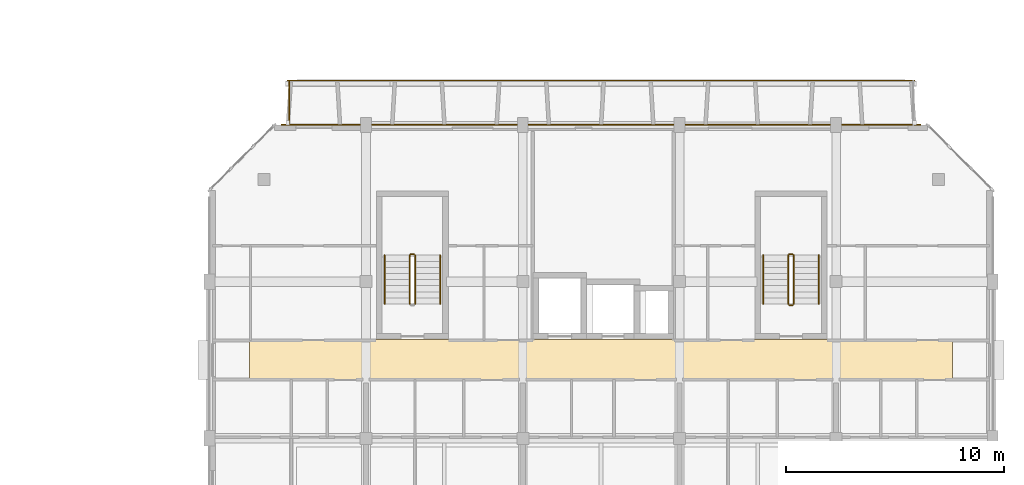
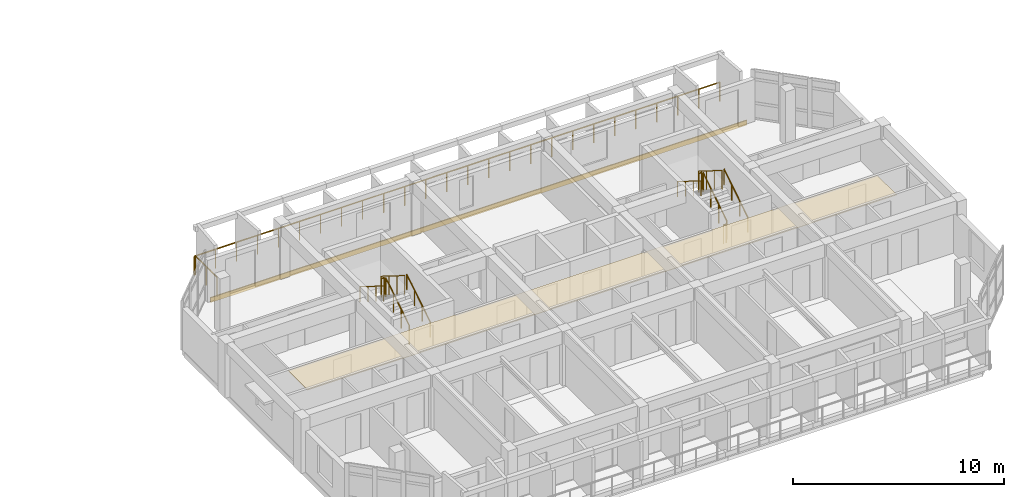
# One storey, part 48 of 51: 13 railings, 2 coverings.
"""IFC4 building model written with IfcOpenShell, lengths in metres."""

from ifc_helpers import new_model, si_unit, direction, frame, origin, origin_2d, place, context, subcontext, project, spatial, polyline, rectangle, circle, outline, extrude, material, layer, layer_set, type_object, element, save


model = new_model("IFC4")

# Units and contexts
model_context = context("Model", 3, precision=1e-05, world=origin(), true_north=direction((0.0, 1.0)))
body_context = subcontext(model_context, "Body", "Model", "MODEL_VIEW")
ifc_project = project(units=[si_unit("LENGTHUNIT", "METRE"), si_unit("AREAUNIT", "SQUARE_METRE"), si_unit("VOLUMEUNIT", "CUBIC_METRE"), si_unit("PLANEANGLEUNIT", "RADIAN"), si_unit("MASSUNIT", "GRAM", prefix="KILO")], contexts=[model_context])

# Site, building, storey
site_placement = place(None, origin())
site = spatial("IfcSite", under=ifc_project, at=site_placement, CompositionType="ELEMENT")
building_placement = place(site_placement, origin())
building = spatial("IfcBuilding", under=site, at=building_placement, Name="Ochrevale Crest", CompositionType="ELEMENT")
storey_placement = place(building_placement, frame((0.0, 0.0, 11.85009765625)))
storey = spatial("IfcBuildingStorey", under=building, at=storey_placement, Name="L03", CompositionType="ELEMENT", Elevation=11.85009765625)

# Coverings
ifc_material_1 = material(Name="Gypsum plasterboard", Category="gypsum")
ifc_layer_1 = layer(ifc_material_1, 0.02490234375)
ifc_layer_set_1 = layer_set([ifc_layer_1], Name="Gypsum plasterboard")
covering_type_1 = type_object("IfcCoveringType", Name="COV-CEIL-GYP", PredefinedType="CEILING", material=ifc_layer_set_1)
covering_1_placement = place(storey_placement, frame((0.0, 0.0, 2.27978515625)))
element("IfcCovering", 1, at=covering_1_placement, inside=storey, type_object=covering_type_1, Name="Block C L03 acoustic corridor ceiling", PredefinedType="CEILING", context=body_context, shape_type="SweptSolid", body=[
    extrude(outline(polyline([(131.449951171875, 24.260009765625), (163.75, 24.260009765625), (163.75, 26.139892578125), (131.449951171875, 26.139892578125), (131.449951171875, 24.260009765625)])), origin(), (0.0, 0.0, 1.0), 0.025146484375),
])
ifc_material_2 = material(Name="Glazed terracotta rainscreen tile", Category="masonry")
ifc_layer_2 = layer(ifc_material_2, 0.048095703125)
ifc_layer_set_2 = layer_set([ifc_layer_2], Name="Glazed terracotta rainscreen tile")
covering_type_2 = type_object("IfcCoveringType", Name="COV-CLAD-TER", PredefinedType="CLADDING", material=ifc_layer_set_2)
covering_2_placement = place(storey_placement, frame((147.60009765625, 36.012451171875, -0.26025390625), z_axis=(0.0, 0.0, 1.0), x_axis=(-1.0, 0.0, 0.0)))
element("IfcCovering", 2, at=covering_2_placement, inside=storey, type_object=covering_type_2, Name="Block C L03 terracotta slab-edge spandrel cladding", PredefinedType="CLADDING", context=body_context, shape_type="SweptSolid", body=[
    extrude(rectangle(XDim=29.39990234375, YDim=0.06005859375, at=origin_2d()), origin(), (0.0, 0.0, 1.0), 0.280029296875),
])

# Railings
ifc_material_3 = material(Name="Galvanised steel", Category="steel")
railing_type_1 = type_object("IfcRailingType", Name="RL-BAL-1100", PredefinedType="BALUSTRADE", material=ifc_material_3)
railing_1_placement = place(storey_placement, frame((133.199951171875, 38.0400390625, 0.0)))
element("IfcRailing", 3, at=railing_1_placement, inside=storey, type_object=railing_type_1, Name="Block C L03 N balcony front balustrade", PredefinedType="BALUSTRADE", context=body_context, shape_type="SweptSolid", body=[
    extrude(circle(Radius=0.02392578125, at=origin_2d()), frame((0.0, 0.0, 1.0859375), z_axis=(1.0, 0.0, 0.0), x_axis=(0.0, 1.0, 0.0)), (0.0, 0.0, 1.0), 28.800048828125),
    extrude(circle(Radius=0.02099609375, at=origin_2d()), origin(), (0.0, 0.0, 1.0), 1.06201171875),
    extrude(circle(Radius=0.02099609375, at=origin_2d()), frame((1.152099609375, 0.0, 0.0)), (0.0, 0.0, 1.0), 1.06201171875),
    extrude(circle(Radius=0.02099609375, at=origin_2d()), frame((2.303955078125, 0.0, 0.0)), (0.0, 0.0, 1.0), 1.06201171875),
    extrude(circle(Radius=0.02099609375, at=origin_2d()), frame((3.4560546875, 0.0, 0.0)), (0.0, 0.0, 1.0), 1.06201171875),
    extrude(circle(Radius=0.02099609375, at=origin_2d()), frame((4.60791015625, 0.0, 0.0)), (0.0, 0.0, 1.0), 1.06201171875),
    extrude(circle(Radius=0.02099609375, at=origin_2d()), frame((5.760009765625, 0.0, 0.0)), (0.0, 0.0, 1.0), 1.06201171875),
    extrude(circle(Radius=0.02099609375, at=origin_2d()), frame((6.912109375, 0.0, 0.0)), (0.0, 0.0, 1.0), 1.06201171875),
    extrude(circle(Radius=0.02099609375, at=origin_2d()), frame((8.06396484375, 0.0, 0.0)), (0.0, 0.0, 1.0), 1.06201171875),
    extrude(circle(Radius=0.02099609375, at=origin_2d()), frame((9.216064453125, 0.0, 0.0)), (0.0, 0.0, 1.0), 1.06201171875),
    extrude(circle(Radius=0.02099609375, at=origin_2d()), frame((10.367919921875, 0.0, 0.0)), (0.0, 0.0, 1.0), 1.06201171875),
    extrude(circle(Radius=0.02099609375, at=origin_2d()), frame((11.52001953125, 0.0, 0.0)), (0.0, 0.0, 1.0), 1.06201171875),
    extrude(circle(Radius=0.02099609375, at=origin_2d()), frame((12.672119140625, 0.0, 0.0)), (0.0, 0.0, 1.0), 1.06201171875),
    extrude(circle(Radius=0.02099609375, at=origin_2d()), frame((13.823974609375, 0.0, 0.0)), (0.0, 0.0, 1.0), 1.06201171875),
    extrude(circle(Radius=0.02099609375, at=origin_2d()), frame((14.97607421875, 0.0, 0.0)), (0.0, 0.0, 1.0), 1.06201171875),
    extrude(circle(Radius=0.02099609375, at=origin_2d()), frame((16.1279296875, 0.0, 0.0)), (0.0, 0.0, 1.0), 1.06201171875),
    extrude(circle(Radius=0.02099609375, at=origin_2d()), frame((17.280029296875, 0.0, 0.0)), (0.0, 0.0, 1.0), 1.06201171875),
    extrude(circle(Radius=0.02099609375, at=origin_2d()), frame((18.43212890625, 0.0, 0.0)), (0.0, 0.0, 1.0), 1.06201171875),
    extrude(circle(Radius=0.02099609375, at=origin_2d()), frame((19.583984375, 0.0, 0.0)), (0.0, 0.0, 1.0), 1.06201171875),
    extrude(circle(Radius=0.02099609375, at=origin_2d()), frame((20.736083984375, 0.0, 0.0)), (0.0, 0.0, 1.0), 1.06201171875),
    extrude(circle(Radius=0.02099609375, at=origin_2d()), frame((21.887939453125, 0.0, 0.0)), (0.0, 0.0, 1.0), 1.06201171875),
    extrude(circle(Radius=0.02099609375, at=origin_2d()), frame((23.0400390625, 0.0, 0.0)), (0.0, 0.0, 1.0), 1.06201171875),
    extrude(circle(Radius=0.02099609375, at=origin_2d()), frame((24.192138671875, 0.0, 0.0)), (0.0, 0.0, 1.0), 1.06201171875),
    extrude(circle(Radius=0.02099609375, at=origin_2d()), frame((25.343994140625, 0.0, 0.0)), (0.0, 0.0, 1.0), 1.06201171875),
    extrude(circle(Radius=0.02099609375, at=origin_2d()), frame((26.49609375, 0.0, 0.0)), (0.0, 0.0, 1.0), 1.06201171875),
    extrude(circle(Radius=0.02099609375, at=origin_2d()), frame((27.64794921875, 0.0, 0.0)), (0.0, 0.0, 1.0), 1.06201171875),
    extrude(circle(Radius=0.02099609375, at=origin_2d()), frame((28.800048828125, 0.0, 0.0)), (0.0, 0.0, 1.0), 1.06201171875),
])
railing_2_placement = place(storey_placement, frame((133.260009765625, 36.0, 0.0)))
element("IfcRailing", 4, at=railing_2_placement, inside=storey, type_object=railing_type_1, Name="Block C L03 N-W balcony side guard", PredefinedType="BALUSTRADE", context=body_context, shape_type="SweptSolid", body=[
    extrude(circle(Radius=0.02392578125, at=origin_2d()), frame((0.0, 0.0, 1.0859375), z_axis=(0.0, 1.0, 0.0), x_axis=(-1.0, 0.0, 0.0)), (0.0, 0.0, 1.0), 2.0400390625),
    extrude(circle(Radius=0.02099609375, at=origin_2d()), origin(), (0.0, 0.0, 1.0), 1.06201171875),
    extrude(circle(Radius=0.02099609375, at=origin_2d()), frame((0.0, 1.02001953125, 0.0)), (0.0, 0.0, 1.0), 1.06201171875),
    extrude(circle(Radius=0.02099609375, at=origin_2d()), frame((0.0, 2.0400390625, 0.0)), (0.0, 0.0, 1.0), 1.06201171875),
])
railing_type_2 = type_object("IfcRailingType", Name="RL-ST-GUARD", PredefinedType="BALUSTRADE", material=ifc_material_3)
railing_3_placement = place(storey_placement, frame((139.050048828125, 27.77490234375, 0.1748046875)))
element("IfcRailing", 5, at=railing_3_placement, inside=storey, type_object=railing_type_2, Name="L03 ST-C1 stair guard 1", PredefinedType="BALUSTRADE", context=body_context, shape_type="SweptSolid", body=[
    extrude(circle(Radius=0.02392578125, at=origin_2d()), frame((0.0, 0.0, 1.076171875), z_axis=(0.0, 0.847972341737, 0.530040477369), x_axis=(-1.0, 0.0, 0.0)), (0.0, 0.0, 1.0), 2.6416015625),
    extrude(circle(Radius=0.02099609375, at=origin_2d()), origin(), (0.0, 0.0, 1.0), 1.052001953125),
    extrude(circle(Radius=0.02099609375, at=origin_2d()), frame((0.0, 0.74658203125, 0.466796875)), (0.0, 0.0, 1.0), 1.052001953125),
    extrude(circle(Radius=0.02099609375, at=origin_2d()), frame((0.0, 1.493408203125, 0.933349609375)), (0.0, 0.0, 1.0), 1.052001953125),
    extrude(circle(Radius=0.02099609375, at=origin_2d()), frame((0.0, 2.239990234375, 1.400146484375)), (0.0, 0.0, 1.0), 1.052001953125),
])
railing_4_placement = place(storey_placement, frame((139.0, 30.06494140625, 1.574951171875)))
element("IfcRailing", 6, at=railing_4_placement, inside=storey, type_object=railing_type_2, Name="L03 ST-C1 stair guard 2", PredefinedType="BALUSTRADE", context=body_context, shape_type="SweptSolid", body=[
    extrude(circle(Radius=0.02392578125, at=origin_2d()), frame((0.0, 0.0, 1.076171875), z_axis=(-1.0, 0.0, 0.0), x_axis=(0.0, -1.0, 0.0)), (0.0, 0.0, 1.0), 0.14990234375),
    extrude(circle(Radius=0.02099609375, at=origin_2d()), origin(), (0.0, 0.0, 1.0), 1.052001953125),
    extrude(circle(Radius=0.02099609375, at=origin_2d()), frame((-0.14990234375, 0.0, 0.0)), (0.0, 0.0, 1.0), 1.052001953125),
])
railing_5_placement = place(storey_placement, frame((138.800048828125, 30.014892578125, 1.75)))
element("IfcRailing", 7, at=railing_5_placement, inside=storey, type_object=railing_type_2, Name="L03 ST-C1 stair guard 3", PredefinedType="BALUSTRADE", context=body_context, shape_type="SweptSolid", body=[
    extrude(circle(Radius=0.02392578125, at=origin_2d()), frame((0.0, 0.0, 1.076171875), z_axis=(0.0, -0.848013881152, 0.529974015752), x_axis=(1.0, 0.0, 0.0)), (0.0, 0.0, 1.0), 2.641357421875),
    extrude(circle(Radius=0.02099609375, at=origin_2d()), origin(), (0.0, 0.0, 1.0), 1.052001953125),
    extrude(circle(Radius=0.02099609375, at=origin_2d()), frame((0.0, -0.74658203125, 0.466552734375)), (0.0, 0.0, 1.0), 1.052001953125),
    extrude(circle(Radius=0.02099609375, at=origin_2d()), frame((0.0, -1.493408203125, 0.933349609375)), (0.0, 0.0, 1.0), 1.052001953125),
    extrude(circle(Radius=0.02099609375, at=origin_2d()), frame((0.0, -2.239990234375, 1.39990234375)), (0.0, 0.0, 1.0), 1.052001953125),
])
railing_6_placement = place(storey_placement, frame((156.449951171875, 27.77490234375, 0.1748046875)))
element("IfcRailing", 8, at=railing_6_placement, inside=storey, type_object=railing_type_2, Name="L03 ST-C2 stair guard 1", PredefinedType="BALUSTRADE", context=body_context, shape_type="SweptSolid", body=[
    extrude(circle(Radius=0.02392578125, at=origin_2d()), frame((0.0, 0.0, 1.076171875), z_axis=(0.0, 0.847972341737, 0.530040477369), x_axis=(-1.0, 0.0, 0.0)), (0.0, 0.0, 1.0), 2.6416015625),
    extrude(circle(Radius=0.02099609375, at=origin_2d()), origin(), (0.0, 0.0, 1.0), 1.052001953125),
    extrude(circle(Radius=0.02099609375, at=origin_2d()), frame((0.0, 0.74658203125, 0.466796875)), (0.0, 0.0, 1.0), 1.052001953125),
    extrude(circle(Radius=0.02099609375, at=origin_2d()), frame((0.0, 1.493408203125, 0.933349609375)), (0.0, 0.0, 1.0), 1.052001953125),
    extrude(circle(Radius=0.02099609375, at=origin_2d()), frame((0.0, 2.239990234375, 1.400146484375)), (0.0, 0.0, 1.0), 1.052001953125),
])
railing_7_placement = place(storey_placement, frame((156.39990234375, 30.06494140625, 1.574951171875)))
element("IfcRailing", 9, at=railing_7_placement, inside=storey, type_object=railing_type_2, Name="L03 ST-C2 stair guard 2", PredefinedType="BALUSTRADE", context=body_context, shape_type="SweptSolid", body=[
    extrude(circle(Radius=0.02392578125, at=origin_2d()), frame((0.0, 0.0, 1.076171875), z_axis=(-1.0, 0.0, 0.0), x_axis=(0.0, -1.0, 0.0)), (0.0, 0.0, 1.0), 0.14990234375),
    extrude(circle(Radius=0.02099609375, at=origin_2d()), origin(), (0.0, 0.0, 1.0), 1.052001953125),
    extrude(circle(Radius=0.02099609375, at=origin_2d()), frame((-0.14990234375, 0.0, 0.0)), (0.0, 0.0, 1.0), 1.052001953125),
])
railing_8_placement = place(storey_placement, frame((156.199951171875, 30.014892578125, 1.75)))
element("IfcRailing", 10, at=railing_8_placement, inside=storey, type_object=railing_type_2, Name="L03 ST-C2 stair guard 3", PredefinedType="BALUSTRADE", context=body_context, shape_type="SweptSolid", body=[
    extrude(circle(Radius=0.02392578125, at=origin_2d()), frame((0.0, 0.0, 1.076171875), z_axis=(0.0, -0.848013881152, 0.529974015752), x_axis=(1.0, 0.0, 0.0)), (0.0, 0.0, 1.0), 2.641357421875),
    extrude(circle(Radius=0.02099609375, at=origin_2d()), origin(), (0.0, 0.0, 1.0), 1.052001953125),
    extrude(circle(Radius=0.02099609375, at=origin_2d()), frame((0.0, -0.74658203125, 0.466552734375)), (0.0, 0.0, 1.0), 1.052001953125),
    extrude(circle(Radius=0.02099609375, at=origin_2d()), frame((0.0, -1.493408203125, 0.933349609375)), (0.0, 0.0, 1.0), 1.052001953125),
    extrude(circle(Radius=0.02099609375, at=origin_2d()), frame((0.0, -2.239990234375, 1.39990234375)), (0.0, 0.0, 1.0), 1.052001953125),
])
railing_9_placement = place(storey_placement, frame((156.39990234375, 27.72509765625, 0.0)))
element("IfcRailing", 11, at=railing_9_placement, inside=storey, type_object=railing_type_2, Name="L03 ST-C2 stair guard 4", PredefinedType="BALUSTRADE", context=body_context, shape_type="SweptSolid", body=[
    extrude(circle(Radius=0.02392578125, at=origin_2d()), frame((0.0, 0.0, 1.076171875), z_axis=(-1.0, 0.0, 0.0), x_axis=(0.0, -1.0, 0.0)), (0.0, 0.0, 1.0), 0.14990234375),
    extrude(circle(Radius=0.02099609375, at=origin_2d()), origin(), (0.0, 0.0, 1.0), 1.052001953125),
    extrude(circle(Radius=0.02099609375, at=origin_2d()), frame((-0.14990234375, 0.0, 0.0)), (0.0, 0.0, 1.0), 1.052001953125),
])
ifc_material_4 = material(Name="Stainless steel", Category="steel")
railing_type_3 = type_object("IfcRailingType", Name="RL-ST-HRAIL", PredefinedType="HANDRAIL", material=ifc_material_4)
railing_10_placement = place(storey_placement, frame((140.199951171875, 27.77490234375, 0.1748046875)))
element("IfcRailing", 12, at=railing_10_placement, inside=storey, type_object=railing_type_3, Name="L03 ST-C1 stair handrail 1", PredefinedType="HANDRAIL", context=body_context, shape_type="SweptSolid", body=[
    extrude(circle(Radius=0.02392578125, at=origin_2d()), frame((0.0, 0.0, 0.8759765625), z_axis=(0.0, 0.847972341737, 0.530040477369), x_axis=(-1.0, 0.0, 0.0)), (0.0, 0.0, 1.0), 2.6416015625),
    extrude(circle(Radius=0.02099609375, at=origin_2d()), origin(), (0.0, 0.0, 1.0), 0.851806640625),
    extrude(circle(Radius=0.02099609375, at=origin_2d()), frame((0.0, 0.74658203125, 0.466796875)), (0.0, 0.0, 1.0), 0.851806640625),
    extrude(circle(Radius=0.02099609375, at=origin_2d()), frame((0.0, 1.493408203125, 0.933349609375)), (0.0, 0.0, 1.0), 0.851806640625),
    extrude(circle(Radius=0.02099609375, at=origin_2d()), frame((0.0, 2.239990234375, 1.400146484375)), (0.0, 0.0, 1.0), 0.851806640625),
])
railing_11_placement = place(storey_placement, frame((137.64990234375, 30.014892578125, 1.75)))
element("IfcRailing", 13, at=railing_11_placement, inside=storey, type_object=railing_type_3, Name="L03 ST-C1 stair handrail 2", PredefinedType="HANDRAIL", context=body_context, shape_type="SweptSolid", body=[
    extrude(circle(Radius=0.02392578125, at=origin_2d()), frame((0.0, 0.0, 0.8759765625), z_axis=(0.0, -0.848013881152, 0.529974015752), x_axis=(1.0, 0.0, 0.0)), (0.0, 0.0, 1.0), 2.641357421875),
    extrude(circle(Radius=0.02099609375, at=origin_2d()), origin(), (0.0, 0.0, 1.0), 0.851806640625),
    extrude(circle(Radius=0.02099609375, at=origin_2d()), frame((0.0, -0.74658203125, 0.466552734375)), (0.0, 0.0, 1.0), 0.851806640625),
    extrude(circle(Radius=0.02099609375, at=origin_2d()), frame((0.0, -1.493408203125, 0.933349609375)), (0.0, 0.0, 1.0), 0.851806640625),
    extrude(circle(Radius=0.02099609375, at=origin_2d()), frame((0.0, -2.239990234375, 1.39990234375)), (0.0, 0.0, 1.0), 0.851806640625),
])
railing_12_placement = place(storey_placement, frame((157.60009765625, 27.77490234375, 0.1748046875)))
element("IfcRailing", 14, at=railing_12_placement, inside=storey, type_object=railing_type_3, Name="L03 ST-C2 stair handrail 1", PredefinedType="HANDRAIL", context=body_context, shape_type="SweptSolid", body=[
    extrude(circle(Radius=0.02392578125, at=origin_2d()), frame((0.0, 0.0, 0.8759765625), z_axis=(0.0, 0.847972341737, 0.530040477369), x_axis=(-1.0, 0.0, 0.0)), (0.0, 0.0, 1.0), 2.6416015625),
    extrude(circle(Radius=0.02099609375, at=origin_2d()), origin(), (0.0, 0.0, 1.0), 0.851806640625),
    extrude(circle(Radius=0.02099609375, at=origin_2d()), frame((0.0, 0.74658203125, 0.466796875)), (0.0, 0.0, 1.0), 0.851806640625),
    extrude(circle(Radius=0.02099609375, at=origin_2d()), frame((0.0, 1.493408203125, 0.933349609375)), (0.0, 0.0, 1.0), 0.851806640625),
    extrude(circle(Radius=0.02099609375, at=origin_2d()), frame((0.0, 2.239990234375, 1.400146484375)), (0.0, 0.0, 1.0), 0.851806640625),
])
railing_13_placement = place(storey_placement, frame((155.050048828125, 30.014892578125, 1.75)))
element("IfcRailing", 15, at=railing_13_placement, inside=storey, type_object=railing_type_3, Name="L03 ST-C2 stair handrail 2", PredefinedType="HANDRAIL", context=body_context, shape_type="SweptSolid", body=[
    extrude(circle(Radius=0.02392578125, at=origin_2d()), frame((0.0, 0.0, 0.8759765625), z_axis=(0.0, -0.848013881152, 0.529974015752), x_axis=(1.0, 0.0, 0.0)), (0.0, 0.0, 1.0), 2.641357421875),
    extrude(circle(Radius=0.02099609375, at=origin_2d()), origin(), (0.0, 0.0, 1.0), 0.851806640625),
    extrude(circle(Radius=0.02099609375, at=origin_2d()), frame((0.0, -0.74658203125, 0.466552734375)), (0.0, 0.0, 1.0), 0.851806640625),
    extrude(circle(Radius=0.02099609375, at=origin_2d()), frame((0.0, -1.493408203125, 0.933349609375)), (0.0, 0.0, 1.0), 0.851806640625),
    extrude(circle(Radius=0.02099609375, at=origin_2d()), frame((0.0, -2.239990234375, 1.39990234375)), (0.0, 0.0, 1.0), 0.851806640625),
])

save(model, "model.ifc")
